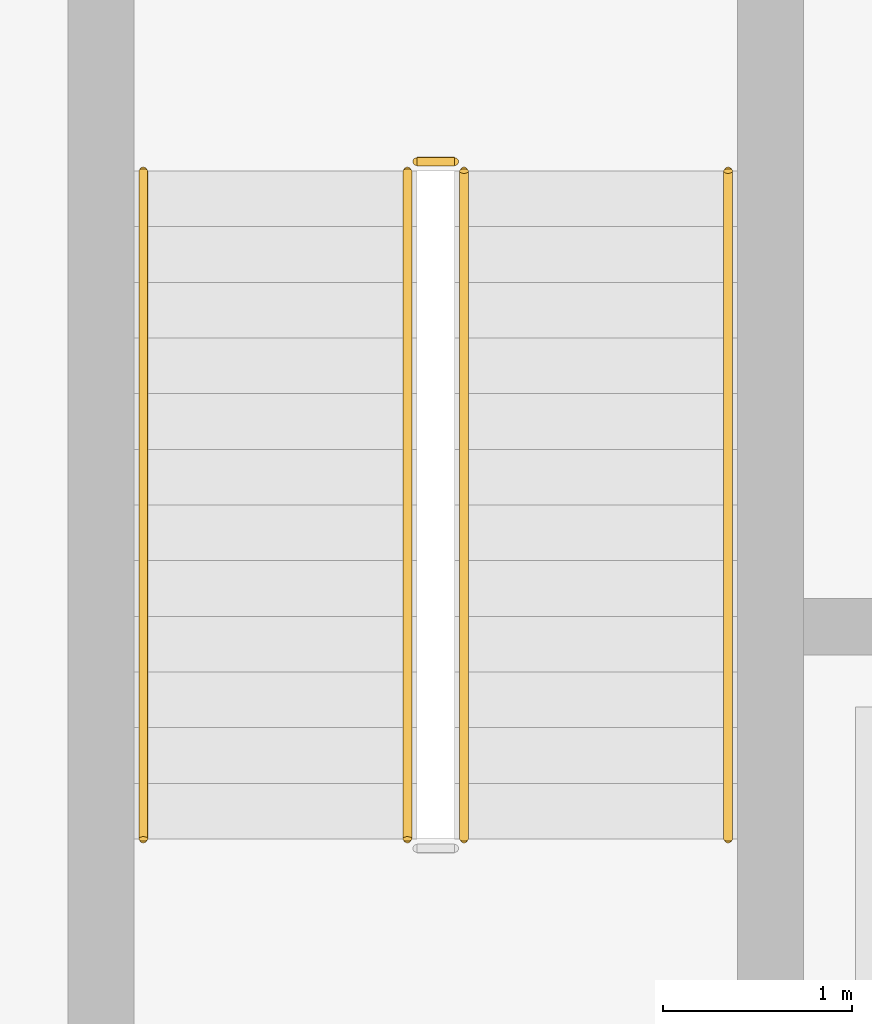
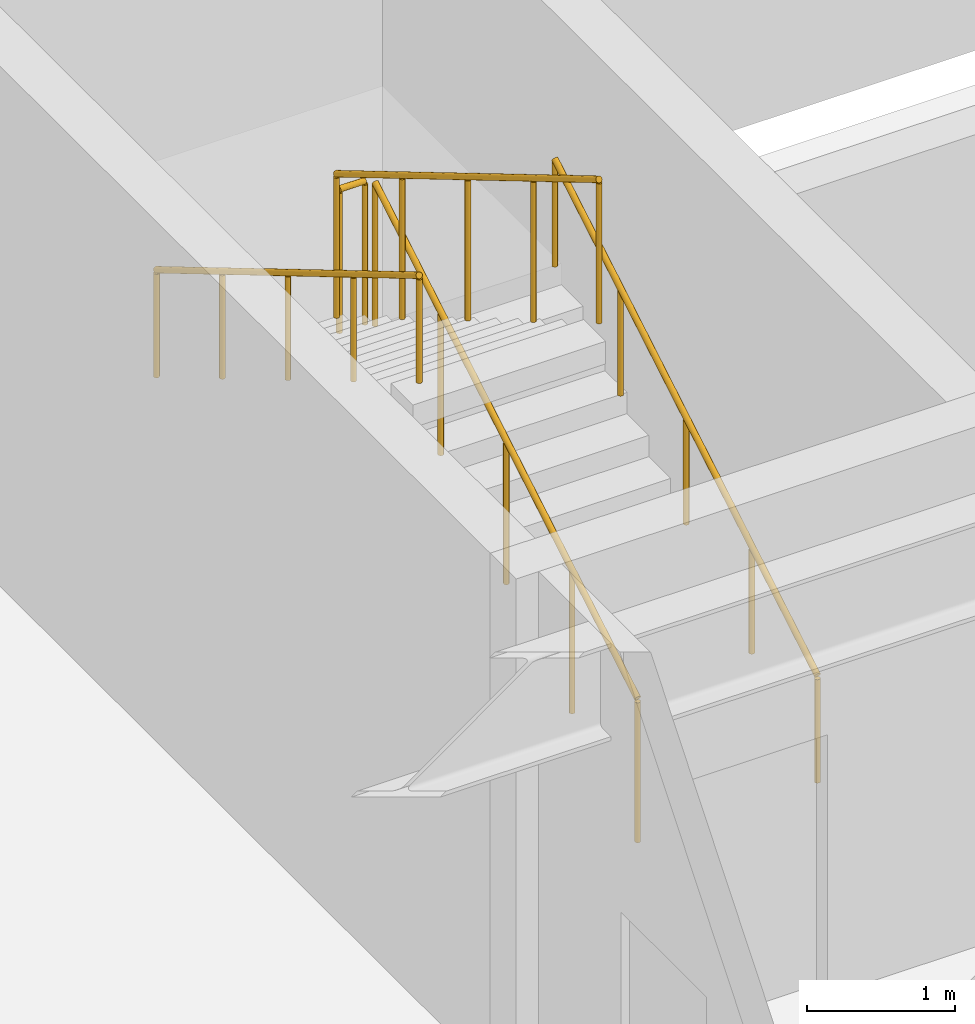
# One storey, part 31 of 32: 5 railings.
"""IFC4 building model written with IfcOpenShell, lengths in metres."""

from ifc_helpers import new_model, si_unit, direction, frame, origin, origin_2d, place, context, subcontext, project, spatial, circle, extrude, material, layer, layer_set, type_object, element, save


model = new_model("IFC4")

# Units and contexts
model_context = context("Model", 3, precision=1e-05, world=origin(), true_north=direction((0.0, 1.0)))
body_context = subcontext(model_context, "Body", "Model", "MODEL_VIEW")
ifc_project = project(units=[si_unit("LENGTHUNIT", "METRE"), si_unit("AREAUNIT", "SQUARE_METRE"), si_unit("VOLUMEUNIT", "CUBIC_METRE"), si_unit("PLANEANGLEUNIT", "RADIAN"), si_unit("MASSUNIT", "GRAM", prefix="KILO")], contexts=[model_context])

# Site, building, storey
site_placement = place(None, origin())
site = spatial("IfcSite", under=ifc_project, at=site_placement, CompositionType="ELEMENT")
building_placement = place(site_placement, origin())
building = spatial("IfcBuilding", under=site, at=building_placement, Name="Nordkorset Police Headquarters", CompositionType="ELEMENT")
storey_placement = place(building_placement, frame((0.0, 0.0, -4.550048828125)))
storey = spatial("IfcBuildingStorey", under=building, at=storey_placement, Name="B01", CompositionType="ELEMENT", Elevation=-4.550048828125)

# Railings
ifc_material_1 = material(Name="Steel S355J2", Category="steel")
ifc_layer_1 = layer(ifc_material_1, 0.048095703125, Name="Steel S355J2")
ifc_layer_set_1 = layer_set([ifc_layer_1], Name="Steel S355J2")
railing_type_1 = type_object("IfcRailingType", Name="Railing_Handrail_900", PredefinedType="HANDRAIL", material=ifc_layer_set_1)
railing_1_placement = place(storey_placement, frame((109.125, 90.824951171875, 0.175048828125)))
element("IfcRailing", 1, at=railing_1_placement, inside=storey, type_object=railing_type_1, Name="B01 ST-05 stair handrail 1", PredefinedType="HANDRAIL", context=body_context, shape_type="SweptSolid", body=[
    extrude(circle(Radius=0.02392578125, at=origin_2d()), frame((0.0, 0.0, 0.8759765625), z_axis=(0.0, 0.860046713364, 0.510215298508), x_axis=(-1.0, 0.0, 0.0)), (0.0, 0.0, 1.0), 4.1162109375),
    extrude(circle(Radius=0.02099609375, at=origin_2d()), origin(), (0.0, 0.0, 1.0), 0.851806640625),
    extrude(circle(Radius=0.02099609375, at=origin_2d()), frame((0.0, 0.885009765625, 0.52490234375)), (0.0, 0.0, 1.0), 0.851806640625),
    extrude(circle(Radius=0.02099609375, at=origin_2d()), frame((0.0, 1.77001953125, 1.050048828125)), (0.0, 0.0, 1.0), 0.851806640625),
    extrude(circle(Radius=0.02099609375, at=origin_2d()), frame((0.0, 2.655029296875, 1.5751953125)), (0.0, 0.0, 1.0), 0.851806640625),
    extrude(circle(Radius=0.02099609375, at=origin_2d()), frame((0.0, 3.5400390625, 2.10009765625)), (0.0, 0.0, 1.0), 0.851806640625),
])
railing_2_placement = place(storey_placement, frame((106.02490234375, 94.364990234375, 2.449951171875)))
element("IfcRailing", 2, at=railing_2_placement, inside=storey, type_object=railing_type_1, Name="B01 ST-05 stair handrail 2", PredefinedType="HANDRAIL", context=body_context, shape_type="SweptSolid", body=[
    extrude(circle(Radius=0.02392578125, at=origin_2d()), frame((0.0, 0.0, 0.8759765625), z_axis=(0.0, -0.860046713364, 0.510215298508), x_axis=(1.0, 0.0, 0.0)), (0.0, 0.0, 1.0), 4.1162109375),
    extrude(circle(Radius=0.02099609375, at=origin_2d()), origin(), (0.0, 0.0, 1.0), 0.851806640625),
    extrude(circle(Radius=0.02099609375, at=origin_2d()), frame((0.0, -0.885009765625, 0.52490234375)), (0.0, 0.0, 1.0), 0.851806640625),
    extrude(circle(Radius=0.02099609375, at=origin_2d()), frame((0.0, -1.77001953125, 1.050048828125)), (0.0, 0.0, 1.0), 0.851806640625),
    extrude(circle(Radius=0.02099609375, at=origin_2d()), frame((0.0, -2.655029296875, 1.5751953125)), (0.0, 0.0, 1.0), 0.851806640625),
    extrude(circle(Radius=0.02099609375, at=origin_2d()), frame((0.0, -3.5400390625, 2.10009765625)), (0.0, 0.0, 1.0), 0.851806640625),
])
ifc_material_2 = material(Name="Steel S355J2", Category="steel")
ifc_layer_2 = layer(ifc_material_2, 0.050048828125, Name="Steel S355J2")
ifc_layer_set_2 = layer_set([ifc_layer_2], Name="Steel S355J2")
railing_type_2 = type_object("IfcRailingType", Name="Railing_StairGuard_1200", PredefinedType="GUARDRAIL", material=ifc_layer_set_2)
railing_3_placement = place(storey_placement, frame((107.72509765625, 90.824951171875, 0.175048828125)))
element("IfcRailing", 3, at=railing_3_placement, inside=storey, type_object=railing_type_2, Name="B01 ST-05 stair guard 1", PredefinedType="GUARDRAIL", context=body_context, shape_type="SweptSolid", body=[
    extrude(circle(Radius=0.02392578125, at=origin_2d()), frame((0.0, 0.0, 1.17578125), z_axis=(0.0, 0.860046713364, 0.510215298508), x_axis=(-1.0, 0.0, 0.0)), (0.0, 0.0, 1.0), 4.1162109375),
    extrude(circle(Radius=0.02099609375, at=origin_2d()), origin(), (0.0, 0.0, 1.0), 1.15185546875),
    extrude(circle(Radius=0.02099609375, at=origin_2d()), frame((0.0, 0.885009765625, 0.52490234375)), (0.0, 0.0, 1.0), 1.15185546875),
    extrude(circle(Radius=0.02099609375, at=origin_2d()), frame((0.0, 1.77001953125, 1.050048828125)), (0.0, 0.0, 1.0), 1.15185546875),
    extrude(circle(Radius=0.02099609375, at=origin_2d()), frame((0.0, 2.655029296875, 1.5751953125)), (0.0, 0.0, 1.0), 1.15185546875),
    extrude(circle(Radius=0.02099609375, at=origin_2d()), frame((0.0, 3.5400390625, 2.10009765625)), (0.0, 0.0, 1.0), 1.15185546875),
])
railing_4_placement = place(storey_placement, frame((107.675048828125, 94.4150390625, 2.275146484375)))
element("IfcRailing", 4, at=railing_4_placement, inside=storey, type_object=railing_type_2, Name="B01 ST-05 stair guard 2", PredefinedType="GUARDRAIL", context=body_context, shape_type="SweptSolid", body=[
    extrude(circle(Radius=0.02392578125, at=origin_2d()), frame((0.0, 0.0, 1.17578125), z_axis=(-1.0, 0.0, 0.0), x_axis=(0.0, -1.0, 0.0)), (0.0, 0.0, 1.0), 0.199951171875),
    extrude(circle(Radius=0.02099609375, at=origin_2d()), origin(), (0.0, 0.0, 1.0), 1.15185546875),
    extrude(circle(Radius=0.02099609375, at=origin_2d()), frame((-0.199951171875, 0.0, 0.0)), (0.0, 0.0, 1.0), 1.15185546875),
])
railing_5_placement = place(storey_placement, frame((107.425048828125, 94.364990234375, 2.449951171875)))
element("IfcRailing", 5, at=railing_5_placement, inside=storey, type_object=railing_type_2, Name="B01 ST-05 stair guard 3", PredefinedType="GUARDRAIL", context=body_context, shape_type="SweptSolid", body=[
    extrude(circle(Radius=0.02392578125, at=origin_2d()), frame((0.0, 0.0, 1.17578125), z_axis=(0.0, -0.860046713364, 0.510215298508), x_axis=(1.0, 0.0, 0.0)), (0.0, 0.0, 1.0), 4.1162109375),
    extrude(circle(Radius=0.02099609375, at=origin_2d()), origin(), (0.0, 0.0, 1.0), 1.15185546875),
    extrude(circle(Radius=0.02099609375, at=origin_2d()), frame((0.0, -0.885009765625, 0.52490234375)), (0.0, 0.0, 1.0), 1.15185546875),
    extrude(circle(Radius=0.02099609375, at=origin_2d()), frame((0.0, -1.77001953125, 1.050048828125)), (0.0, 0.0, 1.0), 1.15185546875),
    extrude(circle(Radius=0.02099609375, at=origin_2d()), frame((0.0, -2.655029296875, 1.5751953125)), (0.0, 0.0, 1.0), 1.15185546875),
    extrude(circle(Radius=0.02099609375, at=origin_2d()), frame((0.0, -3.5400390625, 2.10009765625)), (0.0, 0.0, 1.0), 1.15185546875),
])

save(model, "model.ifc")
